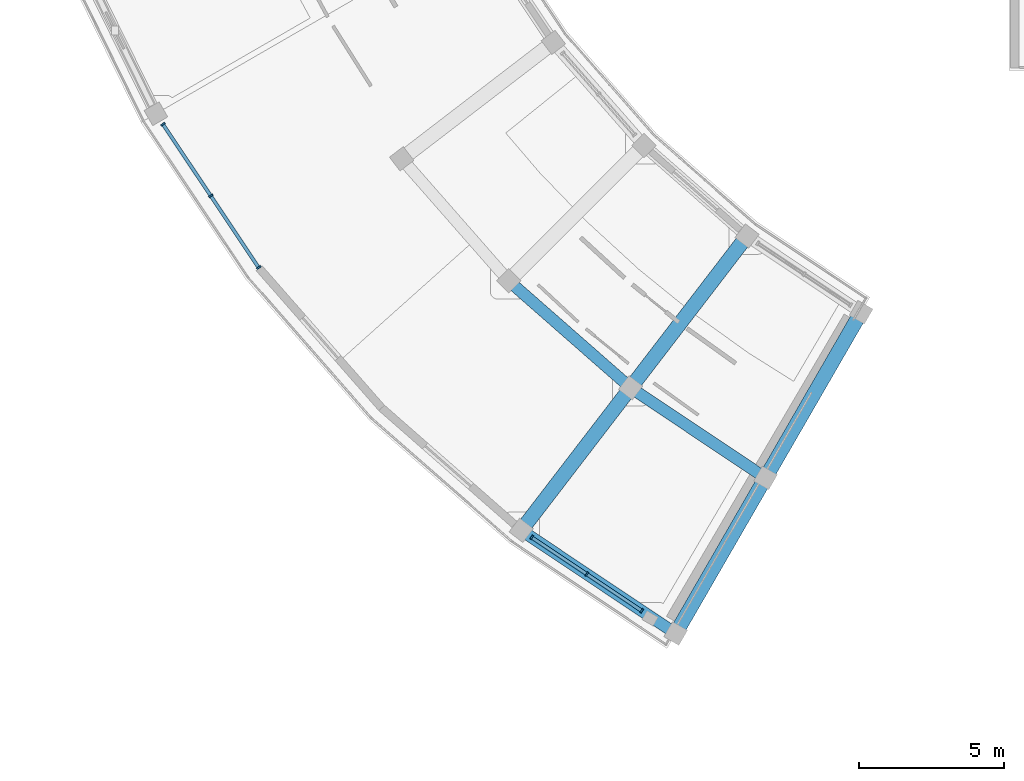
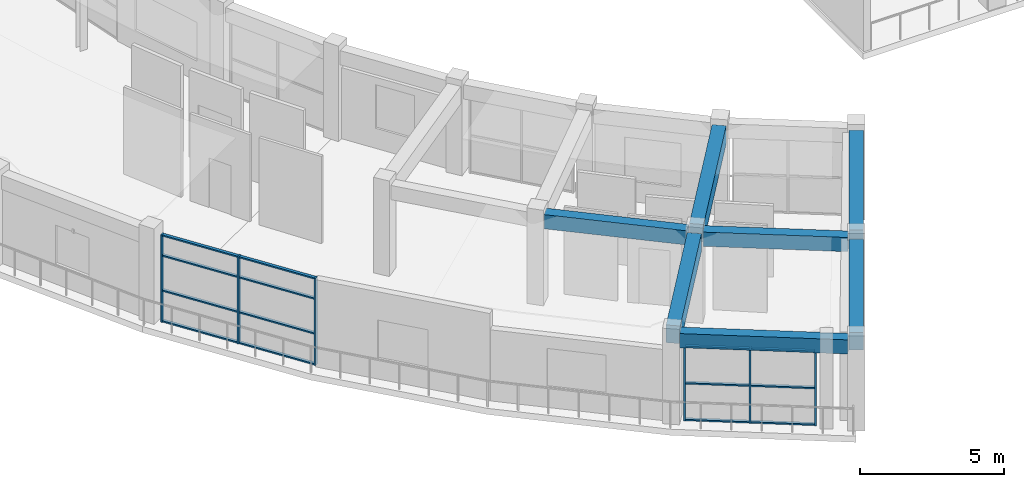
# One storey, part 12 of 70: 20 members, 7 beams, 2 elements without a shape of their own.
"""IFC4 building model written with IfcOpenShell, lengths in metres."""

from ifc_helpers import new_model, si_unit, direction, frame, origin, origin_2d, place, context, subcontext, project, spatial, rectangle, extrude, material, material_profile, profile_set, type_object, element, aggregate, save


model = new_model("IFC4")

# Units and contexts
model_context = context("Model", 3, precision=1e-05, world=origin(), true_north=direction((0.0, 1.0)))
body_context = subcontext(model_context, "Body", "Model", "MODEL_VIEW")
ifc_project = project(units=[si_unit("LENGTHUNIT", "METRE"), si_unit("AREAUNIT", "SQUARE_METRE"), si_unit("VOLUMEUNIT", "CUBIC_METRE"), si_unit("PLANEANGLEUNIT", "RADIAN"), si_unit("MASSUNIT", "GRAM", prefix="KILO")], contexts=[model_context])

# Site, building, storey
site_placement = place(None, origin())
site = spatial("IfcSite", under=ifc_project, at=site_placement, CompositionType="ELEMENT")
building_placement = place(site_placement, origin())
building = spatial("IfcBuilding", under=site, at=building_placement, Name="Saryqyr Civic Hall", CompositionType="ELEMENT")
storey_placement = place(building_placement, frame((0.0, 0.0, 13.199951171875)))
storey = spatial("IfcBuildingStorey", under=building, at=storey_placement, Name="L03", CompositionType="ELEMENT", Elevation=13.199951171875)

# Curtain wall, members
ifc_material_1 = material(Name="Anodised aluminium and triple low-E glass", Category="aluminium")
curtain_wall_type_1 = type_object("IfcCurtainWallType", Name="ENV-CW-STD-29", PredefinedType="NOTDEFINED", material=ifc_material_1)
curtain_wall_1_placement = place(storey_placement, origin())
curtain_wall_1 = element("IfcCurtainWall", 1, at=curtain_wall_1_placement, inside=storey, type_object=curtain_wall_type_1, Name="Curtain wall V4-CWO-L03-06", PredefinedType="NOTDEFINED")
ifc_material_2 = material(Name="Anodised aluminium", Category="aluminium")
ifc_material_profile_1 = material_profile(ifc_material_2, rectangle(XDim=0.06005859375, YDim=0.159912109375, at=origin_2d()), Name="ALU MULLION 60x160")
ifc_profile_set_1 = profile_set([ifc_material_profile_1], Name="Anodised aluminium")
member_type_1 = type_object("IfcMemberType", Name="ENV-CW-MUL-180", PredefinedType="MULLION", material=ifc_profile_set_1)
member_1_placement = place(storey_placement, frame((18.109130859375, 54.195556640625, 0.0), z_axis=(0.0, 0.0, 1.0), x_axis=(-0.555565200724, 0.831472974753, 0.0)))
member_1 = element("IfcMember", 2, at=member_1_placement, type_object=member_type_1, Name="CW-29 mullion 1", PredefinedType="MULLION", context=body_context, shape_type="SweptSolid", body=[
    extrude(rectangle(XDim=0.06005859375, YDim=0.159912109375, at=origin_2d()), origin(), (0.0, 0.0, 1.0), 3.699951171875),
])
member_2_placement = place(storey_placement, frame((16.458740234375, 56.665283203125, 0.0), z_axis=(0.0, 0.0, 1.0), x_axis=(-0.555565200724, 0.831472974753, 0.0)))
member_2 = element("IfcMember", 3, at=member_2_placement, type_object=member_type_1, Name="CW-29 mullion 2", PredefinedType="MULLION", context=body_context, shape_type="SweptSolid", body=[
    extrude(rectangle(XDim=0.06005859375, YDim=0.159912109375, at=origin_2d()), origin(), (0.0, 0.0, 1.0), 3.699951171875),
])
member_3_placement = place(storey_placement, frame((14.80859375, 59.135009765625, 0.0), z_axis=(0.0, 0.0, 1.0), x_axis=(-0.555565200724, 0.831472974753, 0.0)))
member_3 = element("IfcMember", 4, at=member_3_placement, type_object=member_type_1, Name="CW-29 mullion 3", PredefinedType="MULLION", context=body_context, shape_type="SweptSolid", body=[
    extrude(rectangle(XDim=0.06005859375, YDim=0.159912109375, at=origin_2d()), origin(), (0.0, 0.0, 1.0), 3.699951171875),
])

curtain_wall_type_2 = type_object("IfcCurtainWallType", Name="ENV-CW-STD-30", PredefinedType="NOTDEFINED", material=ifc_material_1)
curtain_wall_2_placement = place(storey_placement, origin())
curtain_wall_2 = element("IfcCurtainWall", 5, at=curtain_wall_2_placement, inside=storey, type_object=curtain_wall_type_2, Name="Curtain wall V4-CWO-L03-09", PredefinedType="NOTDEFINED")
member_4_placement = place(storey_placement, frame((31.32666015625, 42.348876953125, 0.0), z_axis=(0.0, 0.0, 1.0), x_axis=(-0.831477026903, 0.555559136126, 0.0)))
member_4 = element("IfcMember", 6, at=member_4_placement, type_object=member_type_1, Name="CW-30 mullion 1", PredefinedType="MULLION", context=body_context, shape_type="SweptSolid", body=[
    extrude(rectangle(XDim=0.06005859375, YDim=0.159912109375, at=origin_2d()), origin(), (0.0, 0.0, 1.0), 3.1650390625),
])
member_5_placement = place(storey_placement, frame((29.43115234375, 43.615234375, 0.0), z_axis=(0.0, 0.0, 1.0), x_axis=(-0.831477026903, 0.555559136126, 0.0)))
member_5 = element("IfcMember", 7, at=member_5_placement, type_object=member_type_1, Name="CW-30 mullion 2", PredefinedType="MULLION", context=body_context, shape_type="SweptSolid", body=[
    extrude(rectangle(XDim=0.06005859375, YDim=0.159912109375, at=origin_2d()), origin(), (0.0, 0.0, 1.0), 3.1650390625),
])
member_6_placement = place(storey_placement, frame((27.53564453125, 44.8818359375, 0.0), z_axis=(0.0, 0.0, 1.0), x_axis=(-0.831477026903, 0.555559136126, 0.0)))
member_6 = element("IfcMember", 8, at=member_6_placement, type_object=member_type_1, Name="CW-30 mullion 3", PredefinedType="MULLION", context=body_context, shape_type="SweptSolid", body=[
    extrude(rectangle(XDim=0.06005859375, YDim=0.159912109375, at=origin_2d()), origin(), (0.0, 0.0, 1.0), 3.1650390625),
])

# Member
ifc_material_profile_2 = material_profile(ifc_material_2, rectangle(XDim=0.1201171875, YDim=0.06005859375, at=origin_2d()), Name="ALU TRANSOM 120x60")
ifc_profile_set_2 = profile_set([ifc_material_profile_2], Name="Anodised aluminium")
member_type_2 = type_object("IfcMemberType", Name="ENV-CW-TRN-150", PredefinedType="USERDEFINED", material=ifc_profile_set_2)
member_7_placement = place(storey_placement, frame((18.09228515625, 54.220703125, 0.030029296875), z_axis=(-0.555551761013, 0.831481954606, 0.0), x_axis=(-0.831481954606, -0.555551761013, 0.0)))
member_7 = element("IfcMember", 9, at=member_7_placement, type_object=member_type_2, Name="CW-29 transom 1.1", ObjectType="TRANSOM", PredefinedType="USERDEFINED", context=body_context, shape_type="SweptSolid", body=[
    extrude(rectangle(XDim=0.1201171875, YDim=0.06005859375, at=origin_2d()), origin(), (0.0, 0.0, 1.0), 2.91015625),
])

member_8_placement = place(storey_placement, frame((18.09228515625, 54.220703125, 1.33203125), z_axis=(-0.555551761013, 0.831481954606, 0.0), x_axis=(-0.831481954606, -0.555551761013, 0.0)))
member_8 = element("IfcMember", 10, at=member_8_placement, type_object=member_type_2, Name="CW-29 transom 1.2", ObjectType="TRANSOM", PredefinedType="USERDEFINED", context=body_context, shape_type="SweptSolid", body=[
    extrude(rectangle(XDim=0.1201171875, YDim=0.06005859375, at=origin_2d()), origin(), (0.0, 0.0, 1.0), 2.91015625),
])

member_9_placement = place(storey_placement, frame((18.09228515625, 54.220703125, 2.81201171875), z_axis=(-0.555551761013, 0.831481954606, 0.0), x_axis=(-0.831481954606, -0.555551761013, 0.0)))
member_9 = element("IfcMember", 11, at=member_9_placement, type_object=member_type_2, Name="CW-29 transom 1.3", ObjectType="TRANSOM", PredefinedType="USERDEFINED", context=body_context, shape_type="SweptSolid", body=[
    extrude(rectangle(XDim=0.1201171875, YDim=0.06005859375, at=origin_2d()), origin(), (0.0, 0.0, 1.0), 2.91015625),
])

member_10_placement = place(storey_placement, frame((18.09228515625, 54.220703125, 3.670166015625), z_axis=(-0.555551761013, 0.831481954606, 0.0), x_axis=(-0.831481954606, -0.555551761013, 0.0)))
member_10 = element("IfcMember", 12, at=member_10_placement, type_object=member_type_2, Name="CW-29 transom 1.4", ObjectType="TRANSOM", PredefinedType="USERDEFINED", context=body_context, shape_type="SweptSolid", body=[
    extrude(rectangle(XDim=0.1201171875, YDim=0.06005859375, at=origin_2d()), origin(), (0.0, 0.0, 1.0), 2.91015625),
])

member_11_placement = place(storey_placement, frame((16.442138671875, 56.690185546875, 0.030029296875), z_axis=(-0.555513009454, 0.831507845018, 0.0), x_axis=(-0.831507845018, -0.555513009454, 0.0)))
member_11 = element("IfcMember", 13, at=member_11_placement, type_object=member_type_2, Name="CW-29 transom 2.1", ObjectType="TRANSOM", PredefinedType="USERDEFINED", context=body_context, shape_type="SweptSolid", body=[
    extrude(rectangle(XDim=0.1201171875, YDim=0.06005859375, at=origin_2d()), origin(), (0.0, 0.0, 1.0), 2.910400390625),
])

member_12_placement = place(storey_placement, frame((16.442138671875, 56.690185546875, 1.33203125), z_axis=(-0.555513009454, 0.831507845018, 0.0), x_axis=(-0.831507845018, -0.555513009454, 0.0)))
member_12 = element("IfcMember", 14, at=member_12_placement, type_object=member_type_2, Name="CW-29 transom 2.2", ObjectType="TRANSOM", PredefinedType="USERDEFINED", context=body_context, shape_type="SweptSolid", body=[
    extrude(rectangle(XDim=0.1201171875, YDim=0.06005859375, at=origin_2d()), origin(), (0.0, 0.0, 1.0), 2.910400390625),
])

member_13_placement = place(storey_placement, frame((16.442138671875, 56.690185546875, 2.81201171875), z_axis=(-0.555513009454, 0.831507845018, 0.0), x_axis=(-0.831507845018, -0.555513009454, 0.0)))
member_13 = element("IfcMember", 15, at=member_13_placement, type_object=member_type_2, Name="CW-29 transom 2.3", ObjectType="TRANSOM", PredefinedType="USERDEFINED", context=body_context, shape_type="SweptSolid", body=[
    extrude(rectangle(XDim=0.1201171875, YDim=0.06005859375, at=origin_2d()), origin(), (0.0, 0.0, 1.0), 2.910400390625),
])

member_14_placement = place(storey_placement, frame((16.442138671875, 56.690185546875, 3.670166015625), z_axis=(-0.555513009454, 0.831507845018, 0.0), x_axis=(-0.831507845018, -0.555513009454, 0.0)))
member_14 = element("IfcMember", 16, at=member_14_placement, type_object=member_type_2, Name="CW-29 transom 2.4", ObjectType="TRANSOM", PredefinedType="USERDEFINED", context=body_context, shape_type="SweptSolid", body=[
    extrude(rectangle(XDim=0.1201171875, YDim=0.06005859375, at=origin_2d()), origin(), (0.0, 0.0, 1.0), 2.910400390625),
])

aggregate(curtain_wall_1, [member_1, member_2, member_3, member_7, member_8, member_9, member_10, member_11, member_12, member_13, member_14])

member_15_placement = place(storey_placement, frame((31.3017578125, 42.365478515625, 0.030029296875), z_axis=(-0.831491484097, 0.555537498171, 0.0), x_axis=(-0.555537498171, -0.831491484097, 0.0)))
member_15 = element("IfcMember", 17, at=member_15_placement, type_object=member_type_2, Name="CW-30 transom 1.1", ObjectType="TRANSOM", PredefinedType="USERDEFINED", context=body_context, shape_type="SweptSolid", body=[
    extrude(rectangle(XDim=0.1201171875, YDim=0.06005859375, at=origin_2d()), origin(), (0.0, 0.0, 1.0), 2.2197265625),
])

member_16_placement = place(storey_placement, frame((31.3017578125, 42.365478515625, 1.58203125), z_axis=(-0.831491484097, 0.555537498171, 0.0), x_axis=(-0.555537498171, -0.831491484097, 0.0)))
member_16 = element("IfcMember", 18, at=member_16_placement, type_object=member_type_2, Name="CW-30 transom 1.2", ObjectType="TRANSOM", PredefinedType="USERDEFINED", context=body_context, shape_type="SweptSolid", body=[
    extrude(rectangle(XDim=0.1201171875, YDim=0.06005859375, at=origin_2d()), origin(), (0.0, 0.0, 1.0), 2.2197265625),
])

member_17_placement = place(storey_placement, frame((31.3017578125, 42.365478515625, 3.135009765625), z_axis=(-0.831491484097, 0.555537498171, 0.0), x_axis=(-0.555537498171, -0.831491484097, 0.0)))
member_17 = element("IfcMember", 19, at=member_17_placement, type_object=member_type_2, Name="CW-30 transom 1.3", ObjectType="TRANSOM", PredefinedType="USERDEFINED", context=body_context, shape_type="SweptSolid", body=[
    extrude(rectangle(XDim=0.1201171875, YDim=0.06005859375, at=origin_2d()), origin(), (0.0, 0.0, 1.0), 2.2197265625),
])

member_18_placement = place(storey_placement, frame((29.40625, 43.632080078125, 0.030029296875), z_axis=(-0.831491484097, 0.555537498171, 0.0), x_axis=(-0.555537498171, -0.831491484097, 0.0)))
member_18 = element("IfcMember", 20, at=member_18_placement, type_object=member_type_2, Name="CW-30 transom 2.1", ObjectType="TRANSOM", PredefinedType="USERDEFINED", context=body_context, shape_type="SweptSolid", body=[
    extrude(rectangle(XDim=0.1201171875, YDim=0.06005859375, at=origin_2d()), origin(), (0.0, 0.0, 1.0), 2.2197265625),
])

member_19_placement = place(storey_placement, frame((29.40625, 43.632080078125, 1.58203125), z_axis=(-0.831491484097, 0.555537498171, 0.0), x_axis=(-0.555537498171, -0.831491484097, 0.0)))
member_19 = element("IfcMember", 21, at=member_19_placement, type_object=member_type_2, Name="CW-30 transom 2.2", ObjectType="TRANSOM", PredefinedType="USERDEFINED", context=body_context, shape_type="SweptSolid", body=[
    extrude(rectangle(XDim=0.1201171875, YDim=0.06005859375, at=origin_2d()), origin(), (0.0, 0.0, 1.0), 2.2197265625),
])

member_20_placement = place(storey_placement, frame((29.40625, 43.632080078125, 3.135009765625), z_axis=(-0.831491484097, 0.555537498171, 0.0), x_axis=(-0.555537498171, -0.831491484097, 0.0)))
member_20 = element("IfcMember", 22, at=member_20_placement, type_object=member_type_2, Name="CW-30 transom 2.3", ObjectType="TRANSOM", PredefinedType="USERDEFINED", context=body_context, shape_type="SweptSolid", body=[
    extrude(rectangle(XDim=0.1201171875, YDim=0.06005859375, at=origin_2d()), origin(), (0.0, 0.0, 1.0), 2.2197265625),
])

aggregate(curtain_wall_2, [member_4, member_5, member_6, member_15, member_16, member_17, member_18, member_19, member_20])

# Beams
ifc_material_3 = material(Name="Concrete C35/45", Category="concrete")
ifc_material_profile_3 = material_profile(ifc_material_3, rectangle(XDim=0.39990234375, YDim=0.60009765625, at=origin_2d()), Name="RC 400x600")
ifc_profile_set_3 = profile_set([ifc_material_profile_3], Name="Concrete C35/45")
beam_type_1 = type_object("IfcBeamType", Name="STR-BM-RC400x600", PredefinedType="BEAM", material=ifc_profile_set_3)
beam_1_placement = place(storey_placement, frame((26.942626953125, 53.554443359375, 3.489990234375), z_axis=(0.751848271564, -0.659336163536, 0.0), x_axis=(0.659336163536, 0.751848271564, 0.0)))
element("IfcBeam", 23, at=beam_1_placement, inside=storey, type_object=beam_type_1, Name="Beam V4-CBM-MID08-L03", PredefinedType="BEAM", context=body_context, shape_type="SweptSolid", body=[
    extrude(rectangle(XDim=0.39990234375, YDim=0.60009765625, at=origin_2d()), origin(), (0.0, 0.0, 1.0), 5.04833984375),
])
beam_2_placement = place(storey_placement, frame((31.173583984375, 49.8916015625, 3.489990234375), z_axis=(0.831484433902, -0.555548050289, 0.0), x_axis=(0.555548050289, 0.831484433902, 0.0)))
element("IfcBeam", 24, at=beam_2_placement, inside=storey, type_object=beam_type_1, Name="Beam V4-CBM-MID09-L03", PredefinedType="BEAM", context=body_context, shape_type="SweptSolid", body=[
    extrude(rectangle(XDim=0.39990234375, YDim=0.60009765625, at=origin_2d()), origin(), (0.0, 0.0, 1.0), 5.048583984375),
])
ifc_material_profile_4 = material_profile(ifc_material_3, rectangle(XDim=0.39990234375, YDim=0.60009765625, at=origin_2d()), Name="RC 400x600")
ifc_profile_set_4 = profile_set([ifc_material_profile_4], Name="Concrete C35/45")
beam_type_2 = type_object("IfcBeamType", Name="STR-BM-RC400x600-EXT", PredefinedType="BEAM", material=ifc_profile_set_4)
beam_3_placement = place(storey_placement, frame((27.3994140625, 44.972900390625, 3.489990234375), z_axis=(0.831460079257, -0.555584499966, 0.0), x_axis=(0.555584499966, 0.831460079257, 0.0)))
element("IfcBeam", 25, at=beam_3_placement, inside=storey, type_object=beam_type_2, Name="Beam V4-CBM-OUT09-L03", PredefinedType="BEAM", context=body_context, shape_type="SweptSolid", body=[
    extrude(rectangle(XDim=0.39990234375, YDim=0.60009765625, at=origin_2d()), origin(), (0.0, 0.0, 1.0), 5.859375),
])
ifc_material_4 = material(Name="Concrete C40/50", Category="concrete")
ifc_material_profile_5 = material_profile(ifc_material_4, rectangle(XDim=0.5, YDim=0.75, at=origin_2d()), Name="RC 500x750")
ifc_profile_set_5 = profile_set([ifc_material_profile_5], Name="Concrete C40/50")
beam_type_3 = type_object("IfcBeamType", Name="STR-BM-RC500x750", PredefinedType="BEAM", material=ifc_profile_set_5)
beam_4_placement = place(storey_placement, frame((34.79541015625, 55.0625, 3.4150390625), z_axis=(-0.608770354513, -0.793346491431, 0.0), x_axis=(0.793346491431, -0.608770354513, 0.0)))
element("IfcBeam", 26, at=beam_4_placement, inside=storey, type_object=beam_type_3, Name="Beam V4-RBM-A09-L03", PredefinedType="BEAM", context=body_context, shape_type="SweptSolid", body=[
    extrude(rectangle(XDim=0.5, YDim=0.75, at=origin_2d()), origin(), (0.0, 0.0, 1.0), 6.050048828125),
])
beam_5_placement = place(storey_placement, frame((30.777587890625, 49.826416015625, 3.4150390625), z_axis=(-0.608758070133, -0.793355917636, 0.0), x_axis=(0.793355917636, -0.608758070133, 0.0)))
element("IfcBeam", 27, at=beam_5_placement, inside=storey, type_object=beam_type_3, Name="Beam V4-RBM-B09-L03", PredefinedType="BEAM", context=body_context, shape_type="SweptSolid", body=[
    extrude(rectangle(XDim=0.5, YDim=0.75, at=origin_2d()), origin(), (0.0, 0.0, 1.0), 5.64990234375),
])
beam_6_placement = place(storey_placement, frame((38.762451171875, 52.41162109375, 3.4150390625), z_axis=(-0.500001913541, -0.866024298998, 0.0), x_axis=(0.866024298998, -0.500001913541, 0.0)))
element("IfcBeam", 28, at=beam_6_placement, inside=storey, type_object=beam_type_3, Name="Beam V4-RBM-A10-L03", PredefinedType="BEAM", context=body_context, shape_type="SweptSolid", body=[
    extrude(rectangle(XDim=0.5, YDim=0.75, at=origin_2d()), origin(), (0.0, 0.0, 1.0), 6.0498046875),
])
beam_7_placement = place(storey_placement, frame((35.46240234375, 46.69580078125, 3.4150390625), z_axis=(-0.500010476433, -0.866019355129, 0.0), x_axis=(0.866019355129, -0.500010476433, 0.0)))
element("IfcBeam", 29, at=beam_7_placement, inside=storey, type_object=beam_type_3, Name="Beam V4-RBM-B10-L03", PredefinedType="BEAM", context=body_context, shape_type="SweptSolid", body=[
    extrude(rectangle(XDim=0.5, YDim=0.75, at=origin_2d()), origin(), (0.0, 0.0, 1.0), 5.64990234375),
])

save(model, "model.ifc")
